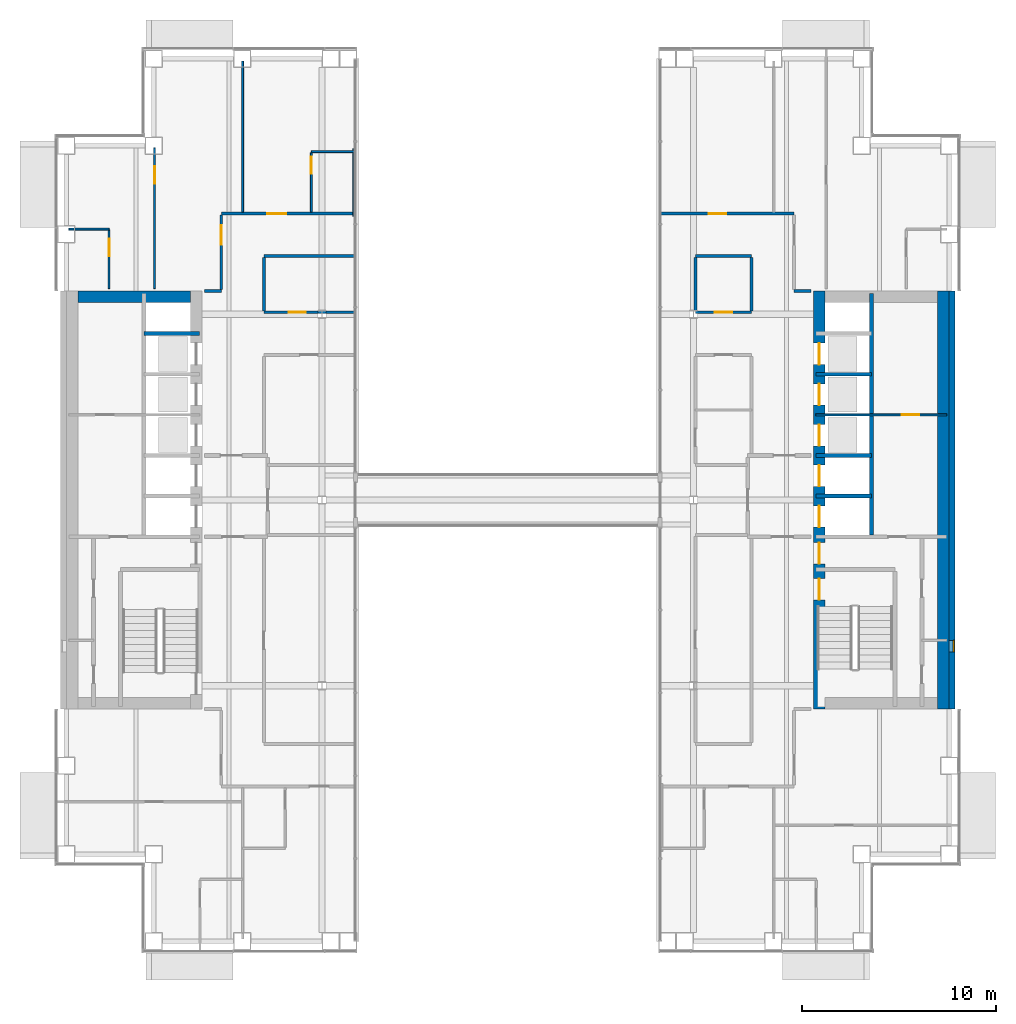
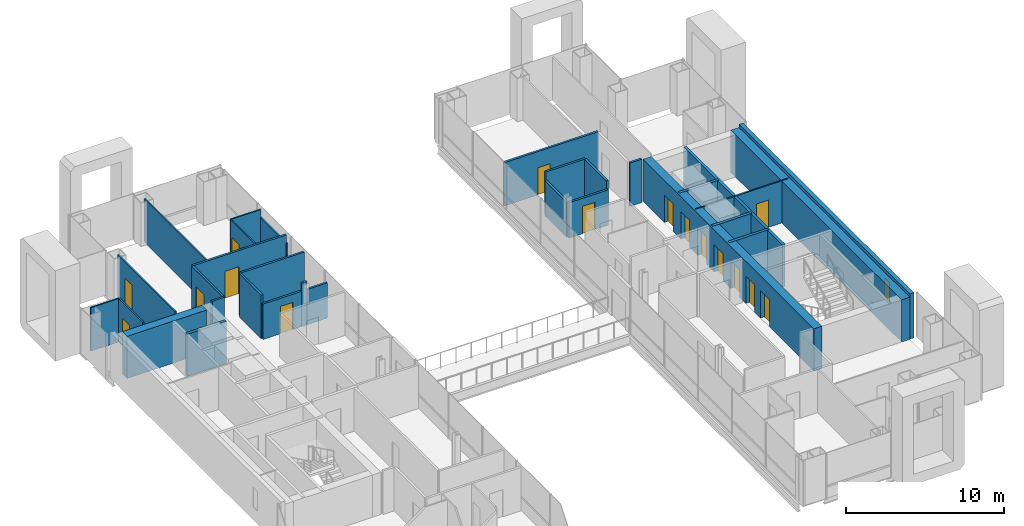
# One storey, part 12 of 17: 32 walls, 16 doors, 1 window, 17 openings.
"""IFC4 building model written with IfcOpenShell, lengths in metres."""

from ifc_helpers import new_model, si_unit, direction, frame, frame_2d, origin, place, context, subcontext, project, spatial, rectangle, extrude, material, layer, layer_set, type_object, element, fill, save


model = new_model("IFC4")

# Units and contexts
model_context = context("Model", 3, precision=1e-05, world=origin(), true_north=direction((0.0, 1.0)))
body_context = subcontext(model_context, "Body", "Model", "MODEL_VIEW")
ifc_project = project(units=[si_unit("LENGTHUNIT", "METRE"), si_unit("AREAUNIT", "SQUARE_METRE"), si_unit("VOLUMEUNIT", "CUBIC_METRE"), si_unit("PLANEANGLEUNIT", "RADIAN"), si_unit("MASSUNIT", "GRAM", prefix="KILO")], contexts=[model_context])

# Site, building, storey
site_placement = place(None, origin())
site = spatial("IfcSite", under=ifc_project, at=site_placement, CompositionType="ELEMENT")
building_placement = place(site_placement, origin())
building = spatial("IfcBuilding", under=site, at=building_placement, Name="Cobrizo Arcos Hotel Tower", CompositionType="ELEMENT")
storey_placement = place(building_placement, frame((0.0, 0.0, 131.0)))
storey = spatial("IfcBuildingStorey", under=building, at=storey_placement, Name="L33", CompositionType="ELEMENT", Elevation=131.0)

# Wall, opening, door
ifc_material_1 = material(Name="Gypsum board partition")
ifc_layer_1 = layer(ifc_material_1, 0.14990234375)
ifc_layer_set_1 = layer_set([ifc_layer_1], Name="Corridor wall EI 60 150")
wall_type_1 = type_object("IfcWallType", Name="Corridor wall EI 60 150", PredefinedType="PARTITIONING", material=ifc_layer_set_1)
wall_1_placement = place(storey_placement, frame((-12.60009765625, 9.699951171875, 0.0), z_axis=(0.0, 0.0, 1.0), x_axis=(1.0, 0.0, 0.0)))
wall_1 = element("IfcWall", 1, at=wall_1_placement, inside=storey, type_object=wall_type_1, Name="Partition 040", PredefinedType="PARTITIONING", context=body_context, shape_type="SweptSolid", body=[
    extrude(rectangle(XDim=2.801025390625, YDim=0.14990234375, at=frame_2d((1.400390625, 0.0))), origin(), (0.0, 0.0, 1.0), 2.72802734375),
])
opening_1_placement = place(wall_1_placement, frame((1.27490234375, 0.0, 0.0)))
opening_1 = element("IfcOpeningElement", 2, at=opening_1_placement, cuts=wall_1, Name="Opening RD-15", PredefinedType="OPENING", context=body_context, shape_type="SweptSolid", body=[
    extrude(rectangle(XDim=0.89990234375, YDim=2.10009765625, at=frame_2d((0.449951171875, 1.050048828125))), frame((0.0, 0.0869140625, 0.0), z_axis=(0.0, -1.0, 0.0), x_axis=(1.0, 0.0, 0.0)), (0.0, 0.0, 1.0), 0.173828125),
])
ifc_material_2 = material(Name="Timber door leaf", Category="wood")
door_type_1 = type_object("IfcDoorType", Name="Room door FD30 900x2100", OperationType="SINGLE_SWING_LEFT", PredefinedType="DOOR", material=ifc_material_2)
door_1_placement = place(opening_1_placement, origin())
door_1 = element("IfcDoor", 3, at=door_1_placement, inside=storey, type_object=door_type_1, Name="Door RD-15", OperationType="SINGLE_SWING_LEFT", OverallHeight=2.10009765625, OverallWidth=0.89990234375, PredefinedType="DOOR", context=body_context, shape_type="SweptSolid", body=[
    extrude(rectangle(XDim=0.89990234375, YDim=2.10009765625, at=frame_2d((0.449951171875, 1.050048828125))), frame((0.0, 0.02490234375, 0.0), z_axis=(0.0, -1.0, 0.0), x_axis=(1.0, 0.0, 0.0)), (0.0, 0.0, 1.0), 0.050048828125),
])
fill(opening_1, door_1)

# Walls
wall_2_placement = place(storey_placement, frame((-9.799072265625, 9.699951171875, 0.0), z_axis=(0.0, 0.0, 1.0), x_axis=(1.0, 0.0, 0.0)))
element("IfcWall", 4, at=wall_2_placement, inside=storey, type_object=wall_type_1, Name="Partition 041", PredefinedType="PARTITIONING", context=body_context, shape_type="SweptSolid", body=[
    extrude(rectangle(XDim=0.398193359375, YDim=0.14990234375, at=frame_2d((0.19921875, 0.0))), origin(), (0.0, 0.0, 1.0), 3.35009765625),
])
wall_3_placement = place(storey_placement, frame((-9.400634765625, 9.699951171875, 0.0), z_axis=(0.0, 0.0, 1.0), x_axis=(1.0, 0.0, 0.0)))
element("IfcWall", 5, at=wall_3_placement, inside=storey, type_object=wall_type_1, Name="Partition 042", PredefinedType="PARTITIONING", context=body_context, shape_type="SweptSolid", body=[
    extrude(rectangle(XDim=1.480712890625, YDim=0.14990234375, at=frame_2d((0.740234375, 0.0))), origin(), (0.0, 0.0, 1.0), 2.72802734375),
])

# Wall, opening, door
wall_4_placement = place(storey_placement, frame((9.699951171875, 9.699951171875, 0.0), z_axis=(0.0, 0.0, 1.0), x_axis=(1.0, 0.0, 0.0)))
wall_4 = element("IfcWall", 6, at=wall_4_placement, inside=storey, type_object=wall_type_1, Name="Partition 043", PredefinedType="PARTITIONING", context=body_context, shape_type="SweptSolid", body=[
    extrude(rectangle(XDim=2.900146484375, YDim=0.14990234375, at=frame_2d((1.4501953125, 0.0))), origin(), (0.0, 0.0, 1.0), 2.72802734375),
])
opening_2_placement = place(wall_4_placement, frame((1.0, 0.0, 0.0)))
opening_2 = element("IfcOpeningElement", 7, at=opening_2_placement, cuts=wall_4, Name="Opening RD-14", PredefinedType="OPENING", context=body_context, shape_type="SweptSolid", body=[
    extrude(rectangle(XDim=0.89990234375, YDim=2.10009765625, at=frame_2d((0.449951171875, 1.050048828125))), frame((0.0, 0.0869140625, 0.0), z_axis=(0.0, -1.0, 0.0), x_axis=(1.0, 0.0, 0.0)), (0.0, 0.0, 1.0), 0.173828125),
])
door_2_placement = place(opening_2_placement, origin())
door_2 = element("IfcDoor", 8, at=door_2_placement, inside=storey, type_object=door_type_1, Name="Door RD-14", OperationType="SINGLE_SWING_LEFT", OverallHeight=2.10009765625, OverallWidth=0.89990234375, PredefinedType="DOOR", context=body_context, shape_type="SweptSolid", body=[
    extrude(rectangle(XDim=0.89990234375, YDim=2.10009765625, at=frame_2d((0.449951171875, 1.050048828125))), frame((0.0, 0.02490234375, 0.0), z_axis=(0.0, -1.0, 0.0), x_axis=(1.0, 0.0, 0.0)), (0.0, 0.0, 1.0), 0.050048828125),
])
fill(opening_2, door_2)

# Walls
for number, where, z_axis, x_axis, name in (
    (9, (-15.679931640625, 10.800048828125, 0.0), (0.0, 0.0, 1.0), (1.0, 0.0, 0.0), "Partition 044"),
    (10, (14.800048828125, 10.800048828125, 0.0), (0.0, 0.0, 1.0), (1.0, 0.0, 0.0), "Partition 045"),
):
    element("IfcWall", number, at=place(storey_placement, frame(where, z_axis=z_axis, x_axis=x_axis)), inside=storey, type_object=wall_type_1, Name=name, PredefinedType="PARTITIONING", context=body_context, shape_type="SweptSolid", body=[
        extrude(rectangle(XDim=0.8798828125, YDim=0.14990234375, at=frame_2d((0.43994140625, 0.0))), origin(), (0.0, 0.0, 1.0), 3.35009765625),
    ])
wall_5_placement = place(storey_placement, frame((-12.60009765625, 12.60009765625, 0.0), z_axis=(0.0, 0.0, 1.0), x_axis=(1.0, 0.0, 0.0)))
element("IfcWall", 11, at=wall_5_placement, inside=storey, type_object=wall_type_1, Name="Partition 046", PredefinedType="PARTITIONING", context=body_context, shape_type="SweptSolid", body=[
    extrude(rectangle(XDim=4.68017578125, YDim=0.14990234375, at=frame_2d((2.340087890625, 0.0))), origin(), (0.0, 0.0, 1.0), 3.35009765625),
])
wall_6_placement = place(storey_placement, frame((9.699951171875, 12.60009765625, 0.0), z_axis=(0.0, 0.0, 1.0), x_axis=(1.0, 0.0, 0.0)))
element("IfcWall", 12, at=wall_6_placement, inside=storey, type_object=wall_type_1, Name="Partition 047", PredefinedType="PARTITIONING", context=body_context, shape_type="SweptSolid", body=[
    extrude(rectangle(XDim=2.900146484375, YDim=0.14990234375, at=frame_2d((1.4501953125, 0.0))), origin(), (0.0, 0.0, 1.0), 3.35009765625),
])

# Wall, opening, door
wall_7_placement = place(storey_placement, frame((-14.800048828125, 14.800048828125, 0.0), z_axis=(0.0, 0.0, 1.0), x_axis=(1.0, 0.0, 0.0)))
wall_7 = element("IfcWall", 13, at=wall_7_placement, inside=storey, type_object=wall_type_1, Name="Partition 050", PredefinedType="PARTITIONING", context=body_context, shape_type="SweptSolid", body=[
    extrude(rectangle(XDim=6.85009765625, YDim=0.14990234375, at=frame_2d((3.425048828125, 0.0))), origin(), (0.0, 0.0, 1.0), 3.35009765625),
])
opening_3_placement = place(wall_7_placement, frame((2.363037109375, 0.0, 0.0)))
opening_3 = element("IfcOpeningElement", 14, at=opening_3_placement, cuts=wall_7, Name="Opening GD-01", PredefinedType="OPENING", context=body_context, shape_type="SweptSolid", body=[
    extrude(rectangle(XDim=1.0, YDim=2.10009765625, at=frame_2d((0.5, 1.050048828125))), frame((0.0, 0.0869140625, 0.0), z_axis=(0.0, -1.0, 0.0), x_axis=(1.0, 0.0, 0.0)), (0.0, 0.0, 1.0), 0.173828125),
])
door_type_2 = type_object("IfcDoorType", Name="Guest room door FD30S 1000x2100", OperationType="SINGLE_SWING_LEFT", PredefinedType="DOOR", material=ifc_material_2)
door_3_placement = place(opening_3_placement, origin())
door_3 = element("IfcDoor", 15, at=door_3_placement, inside=storey, type_object=door_type_2, Name="Door GD-01", OperationType="SINGLE_SWING_LEFT", OverallHeight=2.10009765625, OverallWidth=1.0, PredefinedType="DOOR", context=body_context, shape_type="SweptSolid", body=[
    extrude(rectangle(XDim=1.0, YDim=2.10009765625, at=frame_2d((0.5, 1.050048828125))), frame((0.0, 0.02490234375, 0.0), z_axis=(0.0, -1.0, 0.0), x_axis=(1.0, 0.0, 0.0)), (0.0, 0.0, 1.0), 0.050048828125),
])
fill(opening_3, door_3)

wall_8_placement = place(storey_placement, frame((7.919921875, 14.800048828125, 0.0), z_axis=(0.0, 0.0, 1.0), x_axis=(1.0, 0.0, 0.0)))
wall_8 = element("IfcWall", 16, at=wall_8_placement, inside=storey, type_object=wall_type_1, Name="Partition 051", PredefinedType="PARTITIONING", context=body_context, shape_type="SweptSolid", body=[
    extrude(rectangle(XDim=6.880126953125, YDim=0.14990234375, at=frame_2d((3.43994140625, 0.0))), origin(), (0.0, 0.0, 1.0), 3.35009765625),
])
opening_4_placement = place(wall_8_placement, frame((2.468017578125, 0.0, 0.0)))
opening_4 = element("IfcOpeningElement", 17, at=opening_4_placement, cuts=wall_8, Name="Opening RD-09", PredefinedType="OPENING", context=body_context, shape_type="SweptSolid", body=[
    extrude(rectangle(XDim=0.89990234375, YDim=2.10009765625, at=frame_2d((0.449951171875, 1.050048828125))), frame((0.0, 0.0869140625, 0.0), z_axis=(0.0, -1.0, 0.0), x_axis=(1.0, 0.0, 0.0)), (0.0, 0.0, 1.0), 0.173828125),
])
door_4_placement = place(opening_4_placement, origin())
door_4 = element("IfcDoor", 18, at=door_4_placement, inside=storey, type_object=door_type_1, Name="Door RD-09", OperationType="SINGLE_SWING_LEFT", OverallHeight=2.10009765625, OverallWidth=0.89990234375, PredefinedType="DOOR", context=body_context, shape_type="SweptSolid", body=[
    extrude(rectangle(XDim=0.89990234375, YDim=2.10009765625, at=frame_2d((0.449951171875, 1.050048828125))), frame((0.0, 0.02490234375, 0.0), z_axis=(0.0, -1.0, 0.0), x_axis=(1.0, 0.0, 0.0)), (0.0, 0.0, 1.0), 0.050048828125),
])
fill(opening_4, door_4)

wall_9_placement = place(storey_placement, frame((-14.800048828125, 10.875, 0.0), z_axis=(0.0, 0.0, 1.0), x_axis=(0.0, 1.0, 0.0)))
wall_9 = element("IfcWall", 19, at=wall_9_placement, inside=storey, type_object=wall_type_1, Name="Partition 061", PredefinedType="PARTITIONING", context=body_context, shape_type="SweptSolid", body=[
    extrude(rectangle(XDim=3.85009765625, YDim=0.14990234375, at=frame_2d((1.925048828125, 0.0))), origin(), (0.0, 0.0, 1.0), 3.35009765625),
])
opening_5_placement = place(wall_9_placement, frame((2.324951171875, 0.0, 0.0)))
opening_5 = element("IfcOpeningElement", 20, at=opening_5_placement, cuts=wall_9, Name="Opening GD-05", PredefinedType="OPENING", context=body_context, shape_type="SweptSolid", body=[
    extrude(rectangle(XDim=1.0, YDim=2.10009765625, at=frame_2d((0.5, 1.050048828125))), frame((0.0, 0.0869140625, 0.0), z_axis=(0.0, -1.0, 0.0), x_axis=(1.0, 0.0, 0.0)), (0.0, 0.0, 1.0), 0.173828125),
])
door_5_placement = place(opening_5_placement, origin())
door_5 = element("IfcDoor", 21, at=door_5_placement, inside=storey, type_object=door_type_2, Name="Door GD-05", OperationType="SINGLE_SWING_RIGHT", OverallHeight=2.10009765625, OverallWidth=1.0, PredefinedType="DOOR", context=body_context, shape_type="SweptSolid", body=[
    extrude(rectangle(XDim=1.0, YDim=2.10009765625, at=frame_2d((0.5, 1.050048828125))), frame((0.0, 0.02490234375, 0.0), z_axis=(0.0, -1.0, 0.0), x_axis=(1.0, 0.0, 0.0)), (0.0, 0.0, 1.0), 0.050048828125),
])
fill(opening_5, door_5)

# Walls
wall_10_placement = place(storey_placement, frame((-12.60009765625, 9.77490234375, 0.0), z_axis=(0.0, 0.0, 1.0), x_axis=(0.0, 1.0, 0.0)))
element("IfcWall", 22, at=wall_10_placement, inside=storey, type_object=wall_type_1, Name="Partition 066", PredefinedType="PARTITIONING", context=body_context, shape_type="SweptSolid", body=[
    extrude(rectangle(XDim=2.75, YDim=0.14990234375, at=frame_2d((1.375, 0.0))), origin(), (0.0, 0.0, 1.0), 3.35009765625),
])
wall_11_placement = place(storey_placement, frame((9.699951171875, 9.77490234375, 0.0), z_axis=(0.0, 0.0, 1.0), x_axis=(0.0, 1.0, 0.0)))
element("IfcWall", 23, at=wall_11_placement, inside=storey, type_object=wall_type_1, Name="Partition 076", PredefinedType="PARTITIONING", context=body_context, shape_type="SweptSolid", body=[
    extrude(rectangle(XDim=2.75, YDim=0.14990234375, at=frame_2d((1.375, 0.0))), origin(), (0.0, 0.0, 1.0), 2.72802734375),
])
wall_12_placement = place(storey_placement, frame((12.60009765625, 9.77490234375, 0.0), z_axis=(0.0, 0.0, 1.0), x_axis=(0.0, 1.0, 0.0)))
element("IfcWall", 24, at=wall_12_placement, inside=storey, type_object=wall_type_1, Name="Partition 081", PredefinedType="PARTITIONING", context=body_context, shape_type="SweptSolid", body=[
    extrude(rectangle(XDim=2.75, YDim=0.14990234375, at=frame_2d((1.375, 0.0))), origin(), (0.0, 0.0, 1.0), 3.35009765625),
])

# Wall, opening, window
ifc_material_3 = material(Name="Aluminium composite panel pale metal", Category="aluminium")
ifc_layer_2 = layer(ifc_material_3, 0.300048828125)
ifc_layer_set_2 = layer_set([ifc_layer_2], Name="EW-1 insulated panel wall 300")
wall_type_2 = type_object("IfcWallType", Name="EW-1 insulated panel wall 300", PredefinedType="SOLIDWALL", material=ifc_layer_set_2)
wall_13_placement = place(storey_placement, frame((22.949951171875, -10.800048828125, 0.0), z_axis=(0.0, 0.0, 1.0), x_axis=(0.0, 1.0, 0.0)))
wall_13 = element("IfcWall", 25, at=wall_13_placement, inside=storey, type_object=wall_type_2, Name="Core face wall L33 E", PredefinedType="SOLIDWALL", context=body_context, shape_type="SweptSolid", body=[
    extrude(rectangle(XDim=21.60009765625, YDim=0.300048828125, at=frame_2d((10.800048828125, 0.0))), origin(), (0.0, 0.0, 1.0), 3.5),
])
opening_6_placement = place(wall_13_placement, frame((2.949951171875, 0.0, 1.0)))
opening_6 = element("IfcOpeningElement", 26, at=opening_6_placement, cuts=wall_13, Name="Opening W-67", PredefinedType="OPENING", context=body_context, shape_type="SweptSolid", body=[
    extrude(rectangle(XDim=0.60009765625, YDim=1.5, at=frame_2d((0.300048828125, 0.75))), frame((0.0, 0.162109375, 0.0), z_axis=(0.0, -1.0, 0.0), x_axis=(1.0, 0.0, 0.0)), (0.0, 0.0, 1.0), 0.323974609375),
])
ifc_material_4 = material(Name="Aluminium 6063-T6 and clear laminated glass", Category="aluminium")
window_type = type_object("IfcWindowType", Name="W-C1 core stair slot window 600x1500", PartitioningType="SINGLE_PANEL", PredefinedType="WINDOW", material=ifc_material_4)
window_placement = place(opening_6_placement, origin())
window = element("IfcWindow", 27, at=window_placement, inside=storey, type_object=window_type, Name="Core face wall L33 E window W-67", OverallHeight=1.5, OverallWidth=0.60009765625, PartitioningType="SINGLE_PANEL", PredefinedType="WINDOW", context=body_context, shape_type="SweptSolid", body=[
    extrude(rectangle(XDim=0.60009765625, YDim=1.5, at=frame_2d((0.300048828125, 0.75))), frame((0.0, -0.06005859375, 0.0), z_axis=(0.0, -1.0, 0.0), x_axis=(1.0, 0.0, 0.0)), (0.0, 0.0, 1.0), 0.06005859375),
])
fill(opening_6, window)

# Wall, opening, door
ifc_layer_3 = layer(ifc_material_1, 0.10009765625)
ifc_layer_set_3 = layer_set([ifc_layer_3], Name="Partition EI 30 100")
wall_type_3 = type_object("IfcWallType", Name="Partition EI 30 100", PredefinedType="PARTITIONING", material=ifc_layer_set_3)
wall_14_placement = place(storey_placement, frame((15.919921875, 4.39990234375, 0.0), z_axis=(0.0, 0.0, 1.0), x_axis=(1.0, 0.0, 0.0)))
wall_14 = element("IfcWall", 28, at=wall_14_placement, inside=storey, type_object=wall_type_3, Name="Partition 032", PredefinedType="PARTITIONING", context=body_context, shape_type="SweptSolid", body=[
    extrude(rectangle(XDim=6.760009765625, YDim=0.10009765625, at=frame_2d((3.3798828125, 0.0))), origin(), (0.0, 0.0, 1.0), 3.25),
])
opening_7_placement = place(wall_14_placement, frame((4.429931640625, 0.0, 0.0)))
opening_7 = element("IfcOpeningElement", 29, at=opening_7_placement, cuts=wall_14, Name="Opening RD-08", PredefinedType="OPENING", context=body_context, shape_type="SweptSolid", body=[
    extrude(rectangle(XDim=0.89990234375, YDim=2.10009765625, at=frame_2d((0.449951171875, 1.050048828125))), frame((0.0, 0.06201171875, 0.0), z_axis=(0.0, -1.0, 0.0), x_axis=(1.0, 0.0, 0.0)), (0.0, 0.0, 1.0), 0.1240234375),
])
door_6_placement = place(opening_7_placement, origin())
door_6 = element("IfcDoor", 30, at=door_6_placement, inside=storey, type_object=door_type_1, Name="Door RD-08", OperationType="SINGLE_SWING_LEFT", OverallHeight=2.10009765625, OverallWidth=0.89990234375, PredefinedType="DOOR", context=body_context, shape_type="SweptSolid", body=[
    extrude(rectangle(XDim=0.89990234375, YDim=2.10009765625, at=frame_2d((0.449951171875, 1.050048828125))), frame((0.0, 0.02490234375, 0.0), z_axis=(0.0, -1.0, 0.0), x_axis=(1.0, 0.0, 0.0)), (0.0, 0.0, 1.0), 0.050048828125),
])
fill(opening_7, door_6)

# Walls
wall_15_placement = place(storey_placement, frame((-22.679931640625, 14.0, 0.0), z_axis=(0.0, 0.0, 1.0), x_axis=(1.0, 0.0, 0.0)))
element("IfcWall", 31, at=wall_15_placement, inside=storey, type_object=wall_type_3, Name="Partition 048", PredefinedType="PARTITIONING", context=body_context, shape_type="SweptSolid", body=[
    extrude(rectangle(XDim=2.079833984375, YDim=0.10009765625, at=frame_2d((1.0400390625, 0.0))), origin(), (0.0, 0.0, 1.0), 3.35009765625),
])
wall_16_placement = place(storey_placement, frame((-10.14990234375, 18.0, 0.0), z_axis=(0.0, 0.0, 1.0), x_axis=(1.0, 0.0, 0.0)))
element("IfcWall", 32, at=wall_16_placement, inside=storey, type_object=wall_type_3, Name="Partition 052", PredefinedType="PARTITIONING", context=body_context, shape_type="SweptSolid", body=[
    extrude(rectangle(XDim=2.199951171875, YDim=0.10009765625, at=frame_2d((1.10009765625, 0.0))), origin(), (0.0, 0.0, 1.0), 3.35009765625),
])

# Wall, opening, door
wall_17_placement = place(storey_placement, frame((-20.60009765625, 10.919921875, 0.0), z_axis=(0.0, 0.0, 1.0), x_axis=(0.0, 1.0, 0.0)))
wall_17 = element("IfcWall", 33, at=wall_17_placement, inside=storey, type_object=wall_type_3, Name="Partition 054", PredefinedType="PARTITIONING", context=body_context, shape_type="SweptSolid", body=[
    extrude(rectangle(XDim=3.030029296875, YDim=0.10009765625, at=frame_2d((1.51513671875, 0.0))), origin(), (0.0, 0.0, 1.0), 3.35009765625),
])
opening_8_placement = place(wall_17_placement, frame((1.669921875, 0.0, 0.0)))
opening_8 = element("IfcOpeningElement", 34, at=opening_8_placement, cuts=wall_17, Name="Opening ED-05", PredefinedType="OPENING", context=body_context, shape_type="SweptSolid", body=[
    extrude(rectangle(XDim=0.89990234375, YDim=2.10009765625, at=frame_2d((0.449951171875, 1.050048828125))), frame((0.0, 0.06201171875, 0.0), z_axis=(0.0, -1.0, 0.0), x_axis=(1.0, 0.0, 0.0)), (0.0, 0.0, 1.0), 0.1240234375),
])
door_type_3 = type_object("IfcDoorType", Name="En-suite door 900x2100", OperationType="SINGLE_SWING_LEFT", PredefinedType="DOOR", material=ifc_material_2)
door_7_placement = place(opening_8_placement, origin())
door_7 = element("IfcDoor", 35, at=door_7_placement, inside=storey, type_object=door_type_3, Name="Door ED-05", OperationType="SINGLE_SWING_LEFT", OverallHeight=2.10009765625, OverallWidth=0.89990234375, PredefinedType="DOOR", context=body_context, shape_type="SweptSolid", body=[
    extrude(rectangle(XDim=0.89990234375, YDim=2.10009765625, at=frame_2d((0.449951171875, 1.050048828125))), frame((0.0, 0.02490234375, 0.0), z_axis=(0.0, -1.0, 0.0), x_axis=(1.0, 0.0, 0.0)), (0.0, 0.0, 1.0), 0.050048828125),
])
fill(opening_8, door_7)

wall_18_placement = place(storey_placement, frame((-18.25, 10.919921875, 0.0), z_axis=(0.0, 0.0, 1.0), x_axis=(0.0, 1.0, 0.0)))
wall_18 = element("IfcWall", 36, at=wall_18_placement, inside=storey, type_object=wall_type_3, Name="Partition 058", PredefinedType="PARTITIONING", context=body_context, shape_type="SweptSolid", body=[
    extrude(rectangle(XDim=7.27099609375, YDim=0.10009765625, at=frame_2d((3.635498046875, 0.0))), origin(), (0.0, 0.0, 1.0), 3.35009765625),
])
opening_9_placement = place(wall_18_placement, frame((5.429931640625, 0.0, 0.0)))
opening_9 = element("IfcOpeningElement", 37, at=opening_9_placement, cuts=wall_18, Name="Opening RD-11", PredefinedType="OPENING", context=body_context, shape_type="SweptSolid", body=[
    extrude(rectangle(XDim=0.89990234375, YDim=2.10009765625, at=frame_2d((0.449951171875, 1.050048828125))), frame((0.0, 0.06201171875, 0.0), z_axis=(0.0, -1.0, 0.0), x_axis=(1.0, 0.0, 0.0)), (0.0, 0.0, 1.0), 0.1240234375),
])
door_8_placement = place(opening_9_placement, origin())
door_8 = element("IfcDoor", 38, at=door_8_placement, inside=storey, type_object=door_type_1, Name="Door RD-11", OperationType="SINGLE_SWING_RIGHT", OverallHeight=2.10009765625, OverallWidth=0.89990234375, PredefinedType="DOOR", context=body_context, shape_type="SweptSolid", body=[
    extrude(rectangle(XDim=0.89990234375, YDim=2.10009765625, at=frame_2d((0.449951171875, 1.050048828125))), frame((0.0, 0.02490234375, 0.0), z_axis=(0.0, -1.0, 0.0), x_axis=(1.0, 0.0, 0.0)), (0.0, 0.0, 1.0), 0.050048828125),
])
fill(opening_9, door_8)

# Wall
wall_19_placement = place(storey_placement, frame((-13.699951171875, 14.875, 0.0), z_axis=(0.0, 0.0, 1.0), x_axis=(0.0, 1.0, 0.0)))
element("IfcWall", 39, at=wall_19_placement, inside=storey, type_object=wall_type_3, Name="Partition 063", PredefinedType="PARTITIONING", context=body_context, shape_type="SweptSolid", body=[
    extrude(rectangle(XDim=7.804931640625, YDim=0.10009765625, at=frame_2d((3.90234375, 0.0))), origin(), (0.0, 0.0, 1.0), 3.35009765625),
])

# Wall, opening, door
wall_20_placement = place(storey_placement, frame((-10.14990234375, 14.875, 0.0), z_axis=(0.0, 0.0, 1.0), x_axis=(0.0, 1.0, 0.0)))
wall_20 = element("IfcWall", 40, at=wall_20_placement, inside=storey, type_object=wall_type_3, Name="Partition 069", PredefinedType="PARTITIONING", context=body_context, shape_type="SweptSolid", body=[
    extrude(rectangle(XDim=3.074951171875, YDim=0.10009765625, at=frame_2d((1.53759765625, 0.0))), origin(), (0.0, 0.0, 1.0), 3.35009765625),
])
opening_10_placement = place(wall_20_placement, frame((1.970947265625, 0.0, 0.0)))
opening_10 = element("IfcOpeningElement", 41, at=opening_10_placement, cuts=wall_20, Name="Opening ED-01", PredefinedType="OPENING", context=body_context, shape_type="SweptSolid", body=[
    extrude(rectangle(XDim=0.89990234375, YDim=2.10009765625, at=frame_2d((0.449951171875, 1.050048828125))), frame((0.0, 0.06201171875, 0.0), z_axis=(0.0, -1.0, 0.0), x_axis=(1.0, 0.0, 0.0)), (0.0, 0.0, 1.0), 0.1240234375),
])
door_9_placement = place(opening_10_placement, origin())
door_9 = element("IfcDoor", 42, at=door_9_placement, inside=storey, type_object=door_type_3, Name="Door ED-01", OperationType="SINGLE_SWING_LEFT", OverallHeight=2.10009765625, OverallWidth=0.89990234375, PredefinedType="DOOR", context=body_context, shape_type="SweptSolid", body=[
    extrude(rectangle(XDim=0.89990234375, YDim=2.10009765625, at=frame_2d((0.449951171875, 1.050048828125))), frame((0.0, 0.02490234375, 0.0), z_axis=(0.0, -1.0, 0.0), x_axis=(1.0, 0.0, 0.0)), (0.0, 0.0, 1.0), 0.050048828125),
])
fill(opening_10, door_9)

# Wall
wall_21_placement = place(storey_placement, frame((-7.949951171875, 14.659912109375, 0.0), z_axis=(0.0, 0.0, 1.0), x_axis=(0.0, 1.0, 0.0)))
element("IfcWall", 43, at=wall_21_placement, inside=storey, type_object=wall_type_3, Name="Partition 070", PredefinedType="PARTITIONING", context=body_context, shape_type="SweptSolid", body=[
    extrude(rectangle(XDim=3.47998046875, YDim=0.10009765625, at=frame_2d((1.739990234375, 0.0))), origin(), (0.0, 0.0, 1.0), 2.73291015625),
])

# Wall, openings, doors
ifc_material_5 = material(Name="Concrete f'c 50 MPa", Category="concrete")
ifc_layer_4 = layer(ifc_material_5, 0.60009765625)
ifc_layer_set_4 = layer_set([ifc_layer_4], Name="RC core wall 600 f'c 50")
wall_type_4 = type_object("IfcWallType", Name="RC core wall 600 f'c 50", PredefinedType="SHEAR", material=ifc_layer_set_4)
wall_22_placement = place(storey_placement, frame((16.10009765625, -10.800048828125, 0.0), z_axis=(0.0, 0.0, 1.0), x_axis=(0.0, 1.0, 0.0)))
wall_22 = element("IfcWall", 44, at=wall_22_placement, inside=storey, type_object=wall_type_4, Name="Core wall CW2, east core, inner face, L33", PredefinedType="SHEAR", context=body_context, shape_type="SweptSolid", body=[
    extrude(rectangle(XDim=21.60009765625, YDim=0.60009765625, at=frame_2d((10.800048828125, 0.0))), origin(), (0.0, 0.0, 1.0), 3.25),
])
opening_11_placement = place(wall_22_placement, frame((9.39990234375, 0.0, 0.0)))
opening_11 = element("IfcOpeningElement", 45, at=opening_11_placement, cuts=wall_22, Name="Opening LD-06", PredefinedType="OPENING", context=body_context, shape_type="SweptSolid", body=[
    extrude(rectangle(XDim=1.10009765625, YDim=2.10009765625, at=frame_2d((0.550048828125, 1.050048828125))), frame((0.0, 0.31201171875, 0.0), z_axis=(0.0, -1.0, 0.0), x_axis=(1.0, 0.0, 0.0)), (0.0, 0.0, 1.0), 0.6240234375),
])
opening_12_placement = place(wall_22_placement, frame((11.5, 0.0, 0.0)))
opening_12 = element("IfcOpeningElement", 46, at=opening_12_placement, cuts=wall_22, Name="Opening LD-07", PredefinedType="OPENING", context=body_context, shape_type="SweptSolid", body=[
    extrude(rectangle(XDim=1.10009765625, YDim=2.10009765625, at=frame_2d((0.550048828125, 1.050048828125))), frame((0.0, 0.31201171875, 0.0), z_axis=(0.0, -1.0, 0.0), x_axis=(1.0, 0.0, 0.0)), (0.0, 0.0, 1.0), 0.6240234375),
])
opening_13_placement = place(wall_22_placement, frame((13.60009765625, 0.0, 0.0)))
opening_13 = element("IfcOpeningElement", 47, at=opening_13_placement, cuts=wall_22, Name="Opening LD-08", PredefinedType="OPENING", context=body_context, shape_type="SweptSolid", body=[
    extrude(rectangle(XDim=1.10009765625, YDim=2.10009765625, at=frame_2d((0.550048828125, 1.050048828125))), frame((0.0, 0.31201171875, 0.0), z_axis=(0.0, -1.0, 0.0), x_axis=(1.0, 0.0, 0.0)), (0.0, 0.0, 1.0), 0.6240234375),
])
opening_14_placement = place(wall_22_placement, frame((15.699951171875, 0.0, 0.0)))
opening_14 = element("IfcOpeningElement", 48, at=opening_14_placement, cuts=wall_22, Name="Opening LD-09", PredefinedType="OPENING", context=body_context, shape_type="SweptSolid", body=[
    extrude(rectangle(XDim=1.10009765625, YDim=2.10009765625, at=frame_2d((0.550048828125, 1.050048828125))), frame((0.0, 0.31201171875, 0.0), z_axis=(0.0, -1.0, 0.0), x_axis=(1.0, 0.0, 0.0)), (0.0, 0.0, 1.0), 0.6240234375),
])
opening_15_placement = place(wall_22_placement, frame((17.800048828125, 0.0, 0.0)))
opening_15 = element("IfcOpeningElement", 49, at=opening_15_placement, cuts=wall_22, Name="Opening LD-10", PredefinedType="OPENING", context=body_context, shape_type="SweptSolid", body=[
    extrude(rectangle(XDim=1.10009765625, YDim=2.10009765625, at=frame_2d((0.550048828125, 1.050048828125))), frame((0.0, 0.31201171875, 0.0), z_axis=(0.0, -1.0, 0.0), x_axis=(1.0, 0.0, 0.0)), (0.0, 0.0, 1.0), 0.6240234375),
])
opening_16_placement = place(wall_22_placement, frame((5.64208984375, 0.0, 0.0)))
opening_16 = element("IfcOpeningElement", 50, at=opening_16_placement, cuts=wall_22, Name="Opening SD-02", PredefinedType="OPENING", context=body_context, shape_type="SweptSolid", body=[
    extrude(rectangle(XDim=1.10009765625, YDim=2.10009765625, at=frame_2d((0.550048828125, 1.050048828125))), frame((0.0, 0.31201171875, 0.0), z_axis=(0.0, -1.0, 0.0), x_axis=(1.0, 0.0, 0.0)), (0.0, 0.0, 1.0), 0.6240234375),
])
opening_17_placement = place(wall_22_placement, frame((7.5, 0.0, 0.0)))
opening_17 = element("IfcOpeningElement", 51, at=opening_17_placement, cuts=wall_22, Name="Opening FD-05", PredefinedType="OPENING", context=body_context, shape_type="SweptSolid", body=[
    extrude(rectangle(XDim=1.10009765625, YDim=2.10009765625, at=frame_2d((0.550048828125, 1.050048828125))), frame((0.0, 0.31201171875, 0.0), z_axis=(0.0, -1.0, 0.0), x_axis=(1.0, 0.0, 0.0)), (0.0, 0.0, 1.0), 0.6240234375),
])
ifc_material_6 = material(Name="Steel door leaf", Category="steel")
door_type_4 = type_object("IfcDoorType", Name="Fire door FD60 1100x2100", OperationType="SINGLE_SWING_LEFT", PredefinedType="DOOR", material=ifc_material_6)
door_10_placement = place(opening_17_placement, origin())
door_10 = element("IfcDoor", 52, at=door_10_placement, inside=storey, type_object=door_type_4, Name="Door FD-05", OperationType="SINGLE_SWING_RIGHT", OverallHeight=2.10009765625, OverallWidth=1.10009765625, PredefinedType="DOOR", context=body_context, shape_type="SweptSolid", body=[
    extrude(rectangle(XDim=1.10009765625, YDim=2.10009765625, at=frame_2d((0.550048828125, 1.050048828125))), frame((0.0, 0.02490234375, 0.0), z_axis=(0.0, -1.0, 0.0), x_axis=(1.0, 0.0, 0.0)), (0.0, 0.0, 1.0), 0.050048828125),
])
fill(opening_17, door_10)
door_type_5 = type_object("IfcDoorType", Name="Lift landing door 1100x2100", OperationType="SLIDING_TO_LEFT", PredefinedType="DOOR", material=ifc_material_6)
door_11_placement = place(opening_11_placement, origin())
door_11 = element("IfcDoor", 53, at=door_11_placement, inside=storey, type_object=door_type_5, Name="Lift landing door LD-06", OperationType="SLIDING_TO_LEFT", OverallHeight=2.10009765625, OverallWidth=1.10009765625, PredefinedType="DOOR", context=body_context, shape_type="SweptSolid", body=[
    extrude(rectangle(XDim=1.10009765625, YDim=2.10009765625, at=frame_2d((0.550048828125, 1.050048828125))), frame((0.0, 0.02490234375, 0.0), z_axis=(0.0, -1.0, 0.0), x_axis=(1.0, 0.0, 0.0)), (0.0, 0.0, 1.0), 0.050048828125),
])
fill(opening_11, door_11)
door_12_placement = place(opening_12_placement, origin())
door_12 = element("IfcDoor", 54, at=door_12_placement, inside=storey, type_object=door_type_5, Name="Lift landing door LD-07", OperationType="SLIDING_TO_LEFT", OverallHeight=2.10009765625, OverallWidth=1.10009765625, PredefinedType="DOOR", context=body_context, shape_type="SweptSolid", body=[
    extrude(rectangle(XDim=1.10009765625, YDim=2.10009765625, at=frame_2d((0.550048828125, 1.050048828125))), frame((0.0, 0.02490234375, 0.0), z_axis=(0.0, -1.0, 0.0), x_axis=(1.0, 0.0, 0.0)), (0.0, 0.0, 1.0), 0.050048828125),
])
fill(opening_12, door_12)
door_13_placement = place(opening_13_placement, origin())
door_13 = element("IfcDoor", 55, at=door_13_placement, inside=storey, type_object=door_type_5, Name="Lift landing door LD-08", OperationType="SLIDING_TO_LEFT", OverallHeight=2.10009765625, OverallWidth=1.10009765625, PredefinedType="DOOR", context=body_context, shape_type="SweptSolid", body=[
    extrude(rectangle(XDim=1.10009765625, YDim=2.10009765625, at=frame_2d((0.550048828125, 1.050048828125))), frame((0.0, 0.02490234375, 0.0), z_axis=(0.0, -1.0, 0.0), x_axis=(1.0, 0.0, 0.0)), (0.0, 0.0, 1.0), 0.050048828125),
])
fill(opening_13, door_13)
door_14_placement = place(opening_14_placement, origin())
door_14 = element("IfcDoor", 56, at=door_14_placement, inside=storey, type_object=door_type_5, Name="Lift landing door LD-09", OperationType="SLIDING_TO_LEFT", OverallHeight=2.10009765625, OverallWidth=1.10009765625, PredefinedType="DOOR", context=body_context, shape_type="SweptSolid", body=[
    extrude(rectangle(XDim=1.10009765625, YDim=2.10009765625, at=frame_2d((0.550048828125, 1.050048828125))), frame((0.0, 0.02490234375, 0.0), z_axis=(0.0, -1.0, 0.0), x_axis=(1.0, 0.0, 0.0)), (0.0, 0.0, 1.0), 0.050048828125),
])
fill(opening_14, door_14)
door_15_placement = place(opening_15_placement, origin())
door_15 = element("IfcDoor", 57, at=door_15_placement, inside=storey, type_object=door_type_5, Name="Lift landing door LD-10", OperationType="SLIDING_TO_LEFT", OverallHeight=2.10009765625, OverallWidth=1.10009765625, PredefinedType="DOOR", context=body_context, shape_type="SweptSolid", body=[
    extrude(rectangle(XDim=1.10009765625, YDim=2.10009765625, at=frame_2d((0.550048828125, 1.050048828125))), frame((0.0, 0.02490234375, 0.0), z_axis=(0.0, -1.0, 0.0), x_axis=(1.0, 0.0, 0.0)), (0.0, 0.0, 1.0), 0.050048828125),
])
fill(opening_15, door_15)
door_type_6 = type_object("IfcDoorType", Name="Stair door FD60S 1100x2100", OperationType="SINGLE_SWING_LEFT", PredefinedType="DOOR", material=ifc_material_6)
door_16_placement = place(opening_16_placement, origin())
door_16 = element("IfcDoor", 58, at=door_16_placement, inside=storey, type_object=door_type_6, Name="Door SD-02", OperationType="SINGLE_SWING_RIGHT", OverallHeight=2.10009765625, OverallWidth=1.10009765625, PredefinedType="DOOR", context=body_context, shape_type="SweptSolid", body=[
    extrude(rectangle(XDim=1.10009765625, YDim=2.10009765625, at=frame_2d((0.550048828125, 1.050048828125))), frame((0.0, 0.02490234375, 0.0), z_axis=(0.0, -1.0, 0.0), x_axis=(1.0, 0.0, 0.0)), (0.0, 0.0, 1.0), 0.050048828125),
])
fill(opening_16, door_16)

# Walls
wall_23_placement = place(storey_placement, frame((22.5, -10.800048828125, 0.0), z_axis=(0.0, 0.0, 1.0), x_axis=(0.0, 1.0, 0.0)))
element("IfcWall", 59, at=wall_23_placement, inside=storey, type_object=wall_type_4, Name="Core wall CW2, east core, outer face, L33", PredefinedType="SHEAR", context=body_context, shape_type="SweptSolid", body=[
    extrude(rectangle(XDim=21.60009765625, YDim=0.60009765625, at=frame_2d((10.800048828125, 0.0))), origin(), (0.0, 0.0, 1.0), 3.25),
])
wall_24_placement = place(storey_placement, frame((-22.199951171875, 10.5, 0.0), z_axis=(0.0, 0.0, 1.0), x_axis=(1.0, 0.0, 0.0)))
element("IfcWall", 60, at=wall_24_placement, inside=storey, type_object=wall_type_4, Name="Core wall CW2, west core, north end, L33", PredefinedType="SHEAR", context=body_context, shape_type="SweptSolid", body=[
    extrude(rectangle(XDim=5.800048828125, YDim=0.60009765625, at=frame_2d((2.89990234375, 0.0))), origin(), (0.0, 0.0, 1.0), 3.25),
])
ifc_layer_5 = layer(ifc_material_1, 0.199951171875)
ifc_layer_set_5 = layer_set([ifc_layer_5], Name="Shaft wall EI 120 200")
wall_type_5 = type_object("IfcWallType", Name="Shaft wall EI 120 200", PredefinedType="PARTITIONING", material=ifc_layer_set_5)
for number, where, z_axis, x_axis, name in (
    (61, (15.919921875, 0.199951171875, 0.0), (0.0, 0.0, 1.0), (1.0, 0.0, 0.0), "Partition 024"),
    (62, (15.919921875, 2.300048828125, 0.0), (0.0, 0.0, 1.0), (1.0, 0.0, 0.0), "Partition 030"),
    (63, (15.919921875, 6.5, 0.0), (0.0, 0.0, 1.0), (1.0, 0.0, 0.0), "Partition 035"),
    (64, (-18.800048828125, 8.60009765625, 0.0), (0.0, 0.0, 1.0), (1.0, 0.0, 0.0), "Partition 038"),
):
    element("IfcWall", number, at=place(storey_placement, frame(where, z_axis=z_axis, x_axis=x_axis)), inside=storey, type_object=wall_type_5, Name=name, PredefinedType="PARTITIONING", context=body_context, shape_type="SweptSolid", body=[
        extrude(rectangle(XDim=2.880126953125, YDim=0.199951171875, at=frame_2d((1.43994140625, 0.0))), origin(), (0.0, 0.0, 1.0), 3.25),
    ])
wall_25_placement = place(storey_placement, frame((18.800048828125, -1.800048828125, 0.0), z_axis=(0.0, 0.0, 1.0), x_axis=(0.0, 1.0, 0.0)))
element("IfcWall", 65, at=wall_25_placement, inside=storey, type_object=wall_type_5, Name="Partition 088", PredefinedType="PARTITIONING", context=body_context, shape_type="SweptSolid", body=[
    extrude(rectangle(XDim=6.150146484375, YDim=0.199951171875, at=frame_2d((3.0751953125, 0.0))), origin(), (0.0, 0.0, 1.0), 3.25),
])
wall_26_placement = place(storey_placement, frame((18.800048828125, 4.449951171875, 0.0), z_axis=(0.0, 0.0, 1.0), x_axis=(0.0, 1.0, 0.0)))
element("IfcWall", 66, at=wall_26_placement, inside=storey, type_object=wall_type_5, Name="Partition 089", PredefinedType="PARTITIONING", context=body_context, shape_type="SweptSolid", body=[
    extrude(rectangle(XDim=6.22998046875, YDim=0.199951171875, at=frame_2d((3.114990234375, 0.0))), origin(), (0.0, 0.0, 1.0), 3.25),
])

save(model, "model.ifc")
